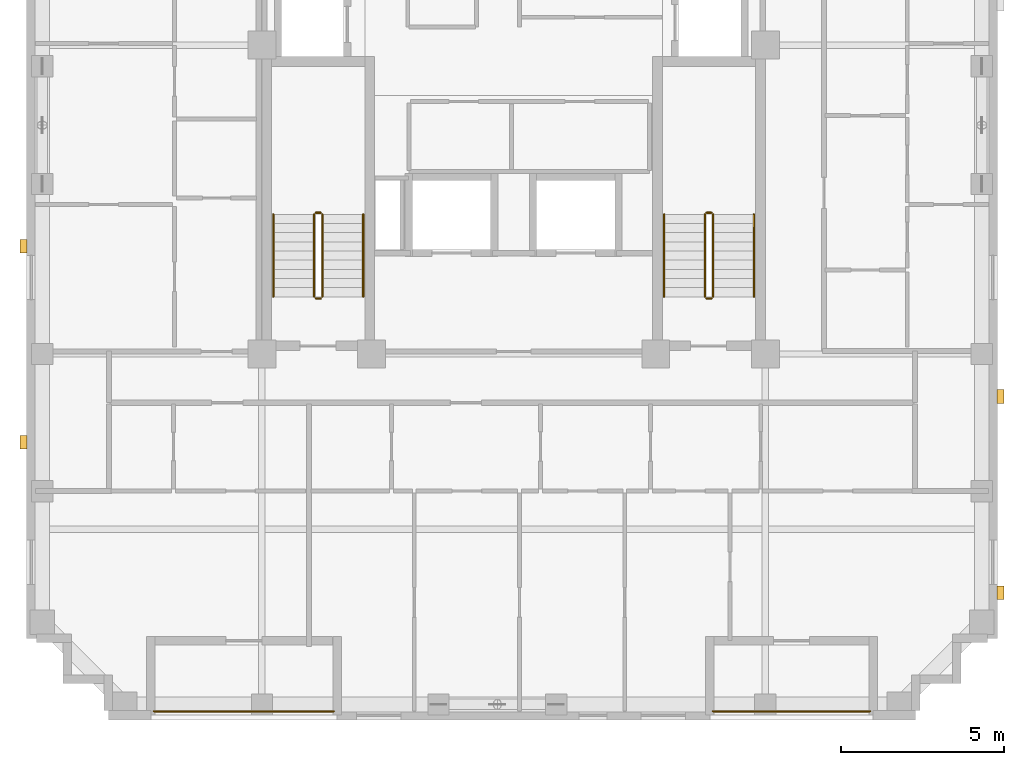
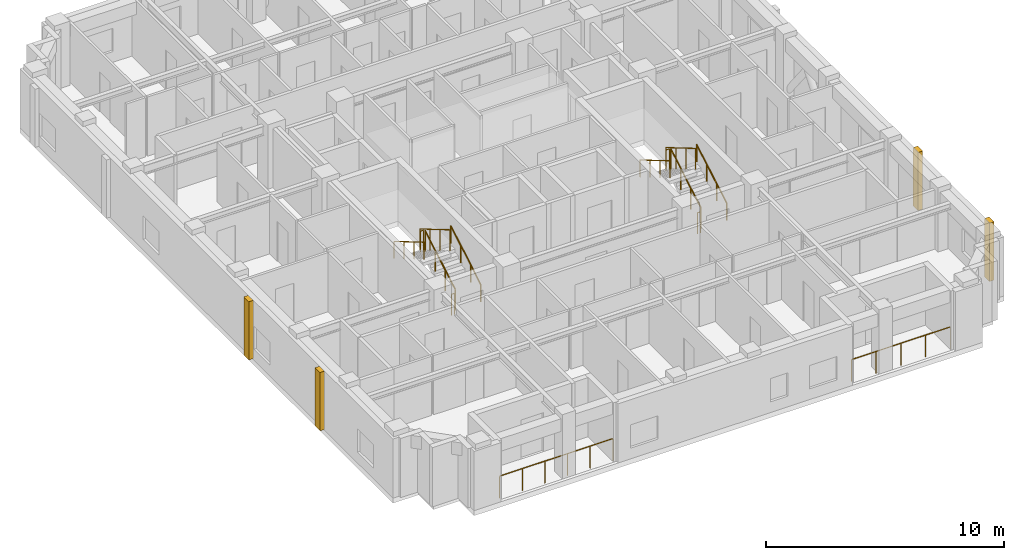
# One storey, part 10 of 11: 14 railings, 4 coverings.
"""IFC4 building model written with IfcOpenShell, lengths in metres."""

from ifc_helpers import new_model, si_unit, derived_unit, direction, frame, origin, origin_2d, place, context, subcontext, project, spatial, rectangle, circle, extrude, material, layer, layer_set, type_object, element, save


model = new_model("IFC4")

# Units and contexts
model_context = context("Model", 3, precision=1e-05, world=origin(), true_north=direction((0.0, 1.0)))
body_context = subcontext(model_context, "Body", "Model", "MODEL_VIEW")
ifc_project = project(units=[si_unit("LENGTHUNIT", "METRE"), si_unit("AREAUNIT", "SQUARE_METRE"), si_unit("VOLUMEUNIT", "CUBIC_METRE"), si_unit("PLANEANGLEUNIT", "RADIAN"), si_unit("MASSUNIT", "GRAM", prefix="KILO"), derived_unit("THERMALTRANSMITTANCEUNIT", [(si_unit("MASSUNIT", "GRAM", prefix="KILO"), 1), (si_unit("TIMEUNIT", "SECOND"), -3), (si_unit("THERMODYNAMICTEMPERATUREUNIT", "KELVIN"), -1)])], contexts=[model_context])

# Site, building, storey
site_placement = place(None, origin())
site = spatial("IfcSite", under=ifc_project, at=site_placement, CompositionType="ELEMENT")
building_placement = place(site_placement, origin())
building = spatial("IfcBuilding", under=site, at=building_placement, Name="Korrvale Station Residences", CompositionType="ELEMENT")
storey_placement = place(building_placement, frame((0.0, 0.0, 194.199951171875)))
storey = spatial("IfcBuildingStorey", under=building, at=storey_placement, Name="L56", CompositionType="ELEMENT", Elevation=194.199951171875)

# Coverings
ifc_material_1 = material(Name="Architectural precast concrete C45/55", Category="concrete")
ifc_layer = layer(ifc_material_1, 0.219970703125, Name="Architectural precast concrete C45/55")
ifc_layer_set = layer_set([ifc_layer], Name="Architectural precast concrete C45/55")
covering_type = type_object("IfcCoveringType", Name="COV-PIER-400", PredefinedType="CLADDING", material=ifc_layer_set)
for number, where, z_axis, x_axis, name in (
    (1, (10.510009765625, 12.300048828125, 0.02490234375), (0.0, 0.0, 1.0), (0.0, 1.0, 0.0), "L56 Architectural Precast Facade Pier 02"),
    (2, (10.510009765625, 18.300048828125, 0.02490234375), (0.0, 0.0, 1.0), (0.0, 1.0, 0.0), "L56 Architectural Precast Facade Pier 03"),
    (3, (40.389892578125, 13.699951171875, 0.02490234375), (0.0, 0.0, 1.0), (0.0, 1.0, 0.0), "L56 Architectural Precast Facade Pier 08"),
    (4, (40.389892578125, 7.699951171875, 0.02490234375), (0.0, 0.0, 1.0), (0.0, 1.0, 0.0), "L56 Architectural Precast Facade Pier 09"),
):
    element("IfcCovering", number, at=place(storey_placement, frame(where, z_axis=z_axis, x_axis=x_axis)), inside=storey, type_object=covering_type, Name=name, PredefinedType="CLADDING", context=body_context, shape_type="SweptSolid", body=[
        extrude(rectangle(XDim=0.419921875, YDim=0.219970703125, at=origin_2d()), origin(), (0.0, 0.0, 1.0), 2.989990234375),
    ])

# Railings
ifc_material_2 = material(Name="Powder-coated aluminium picket loggia guard", Category="aluminium")
railing_type_1 = type_object("IfcRailingType", Name="RLG-BAL-1150", PredefinedType="GUARDRAIL", material=ifc_material_2)
railing_1_placement = place(storey_placement, frame((31.60009765625, 4.070068359375, 0.0)))
element("IfcRailing", 5, at=railing_1_placement, inside=storey, type_object=railing_type_1, Name="L56 Recessed Loggia Guardrail BAL-L56-S2", PredefinedType="GUARDRAIL", context=body_context, shape_type="SweptSolid", body=[
    extrude(circle(Radius=0.02392578125, at=origin_2d()), frame((0.0, 0.0, 1.1259765625), z_axis=(1.0, 0.0, 0.0), x_axis=(0.0, 1.0, 0.0)), (0.0, 0.0, 1.0), 4.7998046875),
    extrude(circle(Radius=0.02099609375, at=origin_2d()), origin(), (0.0, 0.0, 1.0), 1.101806640625),
    extrude(circle(Radius=0.02099609375, at=origin_2d()), frame((1.199951171875, 0.0, 0.0)), (0.0, 0.0, 1.0), 1.101806640625),
    extrude(circle(Radius=0.02099609375, at=origin_2d()), frame((2.39990234375, 0.0, 0.0)), (0.0, 0.0, 1.0), 1.101806640625),
    extrude(circle(Radius=0.02099609375, at=origin_2d()), frame((3.599853515625, 0.0, 0.0)), (0.0, 0.0, 1.0), 1.101806640625),
    extrude(circle(Radius=0.02099609375, at=origin_2d()), frame((4.7998046875, 0.0, 0.0)), (0.0, 0.0, 1.0), 1.101806640625),
])
railing_2_placement = place(storey_placement, frame((14.5, 4.070068359375, 0.0)))
element("IfcRailing", 6, at=railing_2_placement, inside=storey, type_object=railing_type_1, Name="L56 Recessed Loggia Guardrail BAL-L56-S1", PredefinedType="GUARDRAIL", context=body_context, shape_type="SweptSolid", body=[
    extrude(circle(Radius=0.02392578125, at=origin_2d()), frame((0.0, 0.0, 1.1259765625), z_axis=(1.0, 0.0, 0.0), x_axis=(0.0, 1.0, 0.0)), (0.0, 0.0, 1.0), 5.5),
    extrude(circle(Radius=0.02099609375, at=origin_2d()), origin(), (0.0, 0.0, 1.0), 1.101806640625),
    extrude(circle(Radius=0.02099609375, at=origin_2d()), frame((1.10009765625, 0.0, 0.0)), (0.0, 0.0, 1.0), 1.101806640625),
    extrude(circle(Radius=0.02099609375, at=origin_2d()), frame((2.199951171875, 0.0, 0.0)), (0.0, 0.0, 1.0), 1.101806640625),
    extrude(circle(Radius=0.02099609375, at=origin_2d()), frame((3.300048828125, 0.0, 0.0)), (0.0, 0.0, 1.0), 1.101806640625),
    extrude(circle(Radius=0.02099609375, at=origin_2d()), frame((4.39990234375, 0.0, 0.0)), (0.0, 0.0, 1.0), 1.101806640625),
    extrude(circle(Radius=0.02099609375, at=origin_2d()), frame((5.5, 0.0, 0.0)), (0.0, 0.0, 1.0), 1.101806640625),
])
ifc_material_3 = material(Name="Brushed stainless-steel continuous stair handrail", Category="steel")
railing_type_2 = type_object("IfcRailingType", Name="RLG-SHND-900", PredefinedType="HANDRAIL", material=ifc_material_3)
railing_3_placement = place(storey_placement, frame((20.89990234375, 16.75, 0.1650390625)))
element("IfcRailing", 7, at=railing_3_placement, inside=storey, type_object=railing_type_2, Name="L56 ST-1 stair handrail 1", PredefinedType="HANDRAIL", context=body_context, shape_type="SweptSolid", body=[
    extrude(circle(Radius=0.02392578125, at=origin_2d()), frame((0.0, 0.0, 0.8759765625), z_axis=(0.0, 0.86152411907, 0.507716645641), x_axis=(-1.0, 0.0, 0.0)), (0.0, 0.0, 1.0), 2.925048828125),
    extrude(circle(Radius=0.02099609375, at=origin_2d()), origin(), (0.0, 0.0, 1.0), 0.851806640625),
    extrude(circle(Radius=0.02099609375, at=origin_2d()), frame((0.0, 0.840087890625, 0.4951171875)), (0.0, 0.0, 1.0), 0.851806640625),
    extrude(circle(Radius=0.02099609375, at=origin_2d()), frame((0.0, 1.679931640625, 0.989990234375)), (0.0, 0.0, 1.0), 0.851806640625),
    extrude(circle(Radius=0.02099609375, at=origin_2d()), frame((0.0, 2.52001953125, 1.485107421875)), (0.0, 0.0, 1.0), 0.851806640625),
])
railing_4_placement = place(storey_placement, frame((18.14990234375, 19.27001953125, 1.81494140625)))
element("IfcRailing", 8, at=railing_4_placement, inside=storey, type_object=railing_type_2, Name="L56 ST-1 stair handrail 2", PredefinedType="HANDRAIL", context=body_context, shape_type="SweptSolid", body=[
    extrude(circle(Radius=0.02392578125, at=origin_2d()), frame((0.0, 0.0, 0.8759765625), z_axis=(0.0, -0.86152411907, 0.507716645641), x_axis=(1.0, 0.0, 0.0)), (0.0, 0.0, 1.0), 2.925048828125),
    extrude(circle(Radius=0.02099609375, at=origin_2d()), origin(), (0.0, 0.0, 1.0), 0.851806640625),
    extrude(circle(Radius=0.02099609375, at=origin_2d()), frame((0.0, -0.840087890625, 0.4951171875)), (0.0, 0.0, 1.0), 0.851806640625),
    extrude(circle(Radius=0.02099609375, at=origin_2d()), frame((0.0, -1.679931640625, 0.989990234375)), (0.0, 0.0, 1.0), 0.851806640625),
    extrude(circle(Radius=0.02099609375, at=origin_2d()), frame((0.0, -2.52001953125, 1.485107421875)), (0.0, 0.0, 1.0), 0.851806640625),
])
railing_5_placement = place(storey_placement, frame((32.85009765625, 16.75, 0.1650390625)))
element("IfcRailing", 9, at=railing_5_placement, inside=storey, type_object=railing_type_2, Name="L56 ST-2 stair handrail 1", PredefinedType="HANDRAIL", context=body_context, shape_type="SweptSolid", body=[
    extrude(circle(Radius=0.02392578125, at=origin_2d()), frame((0.0, 0.0, 0.8759765625), z_axis=(0.0, 0.86152411907, 0.507716645641), x_axis=(-1.0, 0.0, 0.0)), (0.0, 0.0, 1.0), 2.925048828125),
    extrude(circle(Radius=0.02099609375, at=origin_2d()), origin(), (0.0, 0.0, 1.0), 0.851806640625),
    extrude(circle(Radius=0.02099609375, at=origin_2d()), frame((0.0, 0.840087890625, 0.4951171875)), (0.0, 0.0, 1.0), 0.851806640625),
    extrude(circle(Radius=0.02099609375, at=origin_2d()), frame((0.0, 1.679931640625, 0.989990234375)), (0.0, 0.0, 1.0), 0.851806640625),
    extrude(circle(Radius=0.02099609375, at=origin_2d()), frame((0.0, 2.52001953125, 1.485107421875)), (0.0, 0.0, 1.0), 0.851806640625),
])
railing_6_placement = place(storey_placement, frame((30.10009765625, 19.27001953125, 1.81494140625)))
element("IfcRailing", 10, at=railing_6_placement, inside=storey, type_object=railing_type_2, Name="L56 ST-2 stair handrail 2", PredefinedType="HANDRAIL", context=body_context, shape_type="SweptSolid", body=[
    extrude(circle(Radius=0.02392578125, at=origin_2d()), frame((0.0, 0.0, 0.8759765625), z_axis=(0.0, -0.86152411907, 0.507716645641), x_axis=(1.0, 0.0, 0.0)), (0.0, 0.0, 1.0), 2.925048828125),
    extrude(circle(Radius=0.02099609375, at=origin_2d()), origin(), (0.0, 0.0, 1.0), 0.851806640625),
    extrude(circle(Radius=0.02099609375, at=origin_2d()), frame((0.0, -0.840087890625, 0.4951171875)), (0.0, 0.0, 1.0), 0.851806640625),
    extrude(circle(Radius=0.02099609375, at=origin_2d()), frame((0.0, -1.679931640625, 0.989990234375)), (0.0, 0.0, 1.0), 0.851806640625),
    extrude(circle(Radius=0.02099609375, at=origin_2d()), frame((0.0, -2.52001953125, 1.485107421875)), (0.0, 0.0, 1.0), 0.851806640625),
])
ifc_material_4 = material(Name="Galvanised painted tubular steel stair guard", Category="steel")
railing_type_3 = type_object("IfcRailingType", Name="RLG-STR-1100", PredefinedType="GUARDRAIL", material=ifc_material_4)
railing_7_placement = place(storey_placement, frame((19.64990234375, 16.75, 0.1650390625)))
element("IfcRailing", 11, at=railing_7_placement, inside=storey, type_object=railing_type_3, Name="L56 ST-1 stair guard 1", PredefinedType="GUARDRAIL", context=body_context, shape_type="SweptSolid", body=[
    extrude(circle(Radius=0.02392578125, at=origin_2d()), frame((0.0, 0.0, 1.076171875), z_axis=(0.0, 0.86152411907, 0.507716645641), x_axis=(-1.0, 0.0, 0.0)), (0.0, 0.0, 1.0), 2.925048828125),
    extrude(circle(Radius=0.02099609375, at=origin_2d()), origin(), (0.0, 0.0, 1.0), 1.052001953125),
    extrude(circle(Radius=0.02099609375, at=origin_2d()), frame((0.0, 0.840087890625, 0.4951171875)), (0.0, 0.0, 1.0), 1.052001953125),
    extrude(circle(Radius=0.02099609375, at=origin_2d()), frame((0.0, 1.679931640625, 0.989990234375)), (0.0, 0.0, 1.0), 1.052001953125),
    extrude(circle(Radius=0.02099609375, at=origin_2d()), frame((0.0, 2.52001953125, 1.485107421875)), (0.0, 0.0, 1.0), 1.052001953125),
])
railing_8_placement = place(storey_placement, frame((19.60009765625, 19.320068359375, 1.650146484375)))
element("IfcRailing", 12, at=railing_8_placement, inside=storey, type_object=railing_type_3, Name="L56 ST-1 stair guard 2", PredefinedType="GUARDRAIL", context=body_context, shape_type="SweptSolid", body=[
    extrude(circle(Radius=0.02392578125, at=origin_2d()), frame((0.0, 0.0, 1.076171875), z_axis=(-1.0, 0.0, 0.0), x_axis=(0.0, -1.0, 0.0)), (0.0, 0.0, 1.0), 0.150146484375),
    extrude(circle(Radius=0.02099609375, at=origin_2d()), origin(), (0.0, 0.0, 1.0), 1.052001953125),
    extrude(circle(Radius=0.02099609375, at=origin_2d()), frame((-0.150146484375, 0.0, 0.0)), (0.0, 0.0, 1.0), 1.052001953125),
])
railing_9_placement = place(storey_placement, frame((19.39990234375, 19.27001953125, 1.81494140625)))
element("IfcRailing", 13, at=railing_9_placement, inside=storey, type_object=railing_type_3, Name="L56 ST-1 stair guard 3", PredefinedType="GUARDRAIL", context=body_context, shape_type="SweptSolid", body=[
    extrude(circle(Radius=0.02392578125, at=origin_2d()), frame((0.0, 0.0, 1.076171875), z_axis=(0.0, -0.86152411907, 0.507716645641), x_axis=(1.0, 0.0, 0.0)), (0.0, 0.0, 1.0), 2.925048828125),
    extrude(circle(Radius=0.02099609375, at=origin_2d()), origin(), (0.0, 0.0, 1.0), 1.052001953125),
    extrude(circle(Radius=0.02099609375, at=origin_2d()), frame((0.0, -0.840087890625, 0.4951171875)), (0.0, 0.0, 1.0), 1.052001953125),
    extrude(circle(Radius=0.02099609375, at=origin_2d()), frame((0.0, -1.679931640625, 0.989990234375)), (0.0, 0.0, 1.0), 1.052001953125),
    extrude(circle(Radius=0.02099609375, at=origin_2d()), frame((0.0, -2.52001953125, 1.485107421875)), (0.0, 0.0, 1.0), 1.052001953125),
])
railing_10_placement = place(storey_placement, frame((19.60009765625, 16.699951171875, 0.0)))
element("IfcRailing", 14, at=railing_10_placement, inside=storey, type_object=railing_type_3, Name="L56 ST-1 stair guard 4", PredefinedType="GUARDRAIL", context=body_context, shape_type="SweptSolid", body=[
    extrude(circle(Radius=0.02392578125, at=origin_2d()), frame((0.0, 0.0, 1.076171875), z_axis=(-1.0, 0.0, 0.0), x_axis=(0.0, -1.0, 0.0)), (0.0, 0.0, 1.0), 0.150146484375),
    extrude(circle(Radius=0.02099609375, at=origin_2d()), origin(), (0.0, 0.0, 1.0), 1.052001953125),
    extrude(circle(Radius=0.02099609375, at=origin_2d()), frame((-0.150146484375, 0.0, 0.0)), (0.0, 0.0, 1.0), 1.052001953125),
])
railing_11_placement = place(storey_placement, frame((31.60009765625, 16.75, 0.1650390625)))
element("IfcRailing", 15, at=railing_11_placement, inside=storey, type_object=railing_type_3, Name="L56 ST-2 stair guard 1", PredefinedType="GUARDRAIL", context=body_context, shape_type="SweptSolid", body=[
    extrude(circle(Radius=0.02392578125, at=origin_2d()), frame((0.0, 0.0, 1.076171875), z_axis=(0.0, 0.86152411907, 0.507716645641), x_axis=(-1.0, 0.0, 0.0)), (0.0, 0.0, 1.0), 2.925048828125),
    extrude(circle(Radius=0.02099609375, at=origin_2d()), origin(), (0.0, 0.0, 1.0), 1.052001953125),
    extrude(circle(Radius=0.02099609375, at=origin_2d()), frame((0.0, 0.840087890625, 0.4951171875)), (0.0, 0.0, 1.0), 1.052001953125),
    extrude(circle(Radius=0.02099609375, at=origin_2d()), frame((0.0, 1.679931640625, 0.989990234375)), (0.0, 0.0, 1.0), 1.052001953125),
    extrude(circle(Radius=0.02099609375, at=origin_2d()), frame((0.0, 2.52001953125, 1.485107421875)), (0.0, 0.0, 1.0), 1.052001953125),
])
railing_12_placement = place(storey_placement, frame((31.550048828125, 19.320068359375, 1.650146484375)))
element("IfcRailing", 16, at=railing_12_placement, inside=storey, type_object=railing_type_3, Name="L56 ST-2 stair guard 2", PredefinedType="GUARDRAIL", context=body_context, shape_type="SweptSolid", body=[
    extrude(circle(Radius=0.02392578125, at=origin_2d()), frame((0.0, 0.0, 1.076171875), z_axis=(-1.0, 0.0, 0.0), x_axis=(0.0, -1.0, 0.0)), (0.0, 0.0, 1.0), 0.150146484375),
    extrude(circle(Radius=0.02099609375, at=origin_2d()), origin(), (0.0, 0.0, 1.0), 1.052001953125),
    extrude(circle(Radius=0.02099609375, at=origin_2d()), frame((-0.150146484375, 0.0, 0.0)), (0.0, 0.0, 1.0), 1.052001953125),
])
railing_13_placement = place(storey_placement, frame((31.35009765625, 19.27001953125, 1.81494140625)))
element("IfcRailing", 17, at=railing_13_placement, inside=storey, type_object=railing_type_3, Name="L56 ST-2 stair guard 3", PredefinedType="GUARDRAIL", context=body_context, shape_type="SweptSolid", body=[
    extrude(circle(Radius=0.02392578125, at=origin_2d()), frame((0.0, 0.0, 1.076171875), z_axis=(0.0, -0.86152411907, 0.507716645641), x_axis=(1.0, 0.0, 0.0)), (0.0, 0.0, 1.0), 2.925048828125),
    extrude(circle(Radius=0.02099609375, at=origin_2d()), origin(), (0.0, 0.0, 1.0), 1.052001953125),
    extrude(circle(Radius=0.02099609375, at=origin_2d()), frame((0.0, -0.840087890625, 0.4951171875)), (0.0, 0.0, 1.0), 1.052001953125),
    extrude(circle(Radius=0.02099609375, at=origin_2d()), frame((0.0, -1.679931640625, 0.989990234375)), (0.0, 0.0, 1.0), 1.052001953125),
    extrude(circle(Radius=0.02099609375, at=origin_2d()), frame((0.0, -2.52001953125, 1.485107421875)), (0.0, 0.0, 1.0), 1.052001953125),
])
railing_14_placement = place(storey_placement, frame((31.550048828125, 16.699951171875, 0.0)))
element("IfcRailing", 18, at=railing_14_placement, inside=storey, type_object=railing_type_3, Name="L56 ST-2 stair guard 4", PredefinedType="GUARDRAIL", context=body_context, shape_type="SweptSolid", body=[
    extrude(circle(Radius=0.02392578125, at=origin_2d()), frame((0.0, 0.0, 1.076171875), z_axis=(-1.0, 0.0, 0.0), x_axis=(0.0, -1.0, 0.0)), (0.0, 0.0, 1.0), 0.150146484375),
    extrude(circle(Radius=0.02099609375, at=origin_2d()), origin(), (0.0, 0.0, 1.0), 1.052001953125),
    extrude(circle(Radius=0.02099609375, at=origin_2d()), frame((-0.150146484375, 0.0, 0.0)), (0.0, 0.0, 1.0), 1.052001953125),
])

save(model, "model.ifc")
